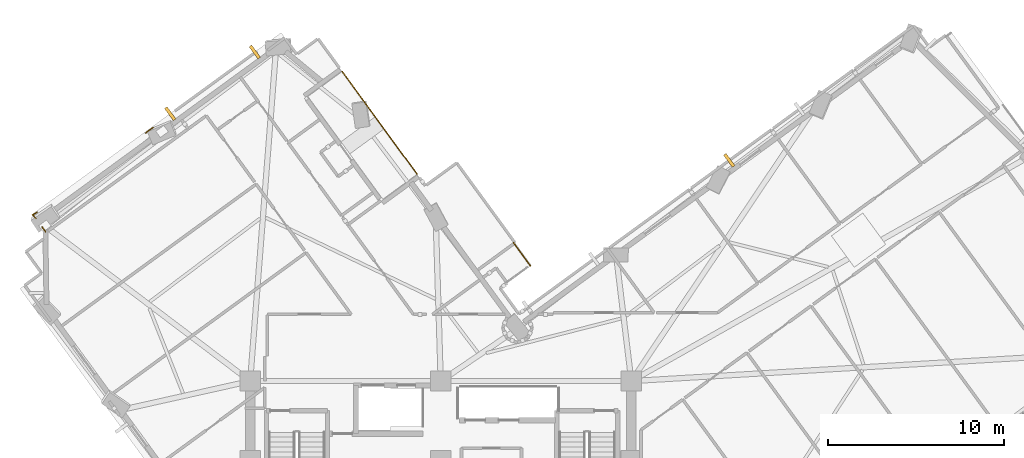
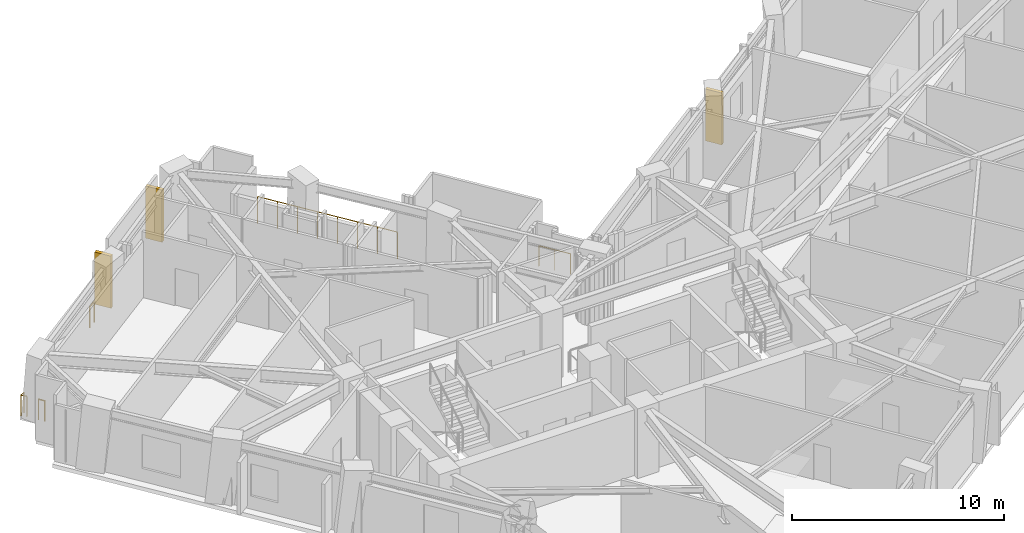
# One storey, part 13 of 14: 5 railings, 3 shading devices.
"""IFC4 building model written with IfcOpenShell, lengths in metres."""

from ifc_helpers import new_model, si_unit, direction, frame, origin, origin_2d, place, context, subcontext, project, spatial, rectangle, circle, extrude, material, layer, layer_set, type_object, element, save


model = new_model("IFC4")

# Units and contexts
model_context = context("Model", 3, precision=1e-05, world=origin(), true_north=direction((0.0, 1.0)))
body_context = subcontext(model_context, "Body", "Model", "MODEL_VIEW")
ifc_project = project(units=[si_unit("LENGTHUNIT", "METRE"), si_unit("AREAUNIT", "SQUARE_METRE"), si_unit("VOLUMEUNIT", "CUBIC_METRE"), si_unit("PLANEANGLEUNIT", "RADIAN"), si_unit("MASSUNIT", "GRAM", prefix="KILO")], contexts=[model_context])

# Site, building, storey
site_placement = place(None, origin())
site = spatial("IfcSite", under=ifc_project, at=site_placement, CompositionType="ELEMENT")
building_placement = place(site_placement, origin())
building = spatial("IfcBuilding", under=site, at=building_placement, Name="Gaonmaruhae Medical Tower", CompositionType="ELEMENT")
storey_placement = place(building_placement, frame((0.0, 0.0, 177.800048828125)))
storey = spatial("IfcBuildingStorey", under=building, at=storey_placement, Name="L42", CompositionType="ELEMENT", Elevation=177.800048828125)

# Railings
ifc_material_1 = material(Name="Stainless steel 316L and laminated safety glass", Category="steel")
ifc_layer_1 = layer(ifc_material_1, 0.080078125)
ifc_layer_set_1 = layer_set([ifc_layer_1], Name="Stainless steel 316L and laminated safety glass")
railing_type_1 = type_object("IfcRailingType", Name="GD-120 Outdoor Terrace Safety Glass & Steel Balustrade", PredefinedType="BALUSTRADE", material=ifc_layer_set_1)
railing_1_placement = place(storey_placement, frame((2.407470703125, 25.263916015625, 0.0)))
element("IfcRailing", 1, at=railing_1_placement, inside=storey, type_object=railing_type_1, Name="L42 Perimeter Slab Edge Safety Balustrade 09", PredefinedType="BALUSTRADE", context=body_context, shape_type="SweptSolid", body=[
    extrude(circle(Radius=0.02392578125, at=origin_2d()), frame((0.0, 0.0, 1.17578125), z_axis=(-0.589548133234, 0.807733247181, 0.0), x_axis=(-0.807733247181, -0.589548133234, 0.0)), (0.0, 0.0, 1.0), 0.32666015625),
    extrude(circle(Radius=0.02099609375, at=origin_2d()), origin(), (0.0, 0.0, 1.0), 1.15185546875),
    extrude(circle(Radius=0.02099609375, at=origin_2d()), frame((-0.192626953125, 0.263916015625, 0.0)), (0.0, 0.0, 1.0), 1.15185546875),
])
railing_2_placement = place(storey_placement, frame((8.085693359375, 30.86083984375, 0.0)))
element("IfcRailing", 2, at=railing_2_placement, inside=storey, type_object=railing_type_1, Name="L42 Perimeter Slab Edge Safety Balustrade 10", PredefinedType="BALUSTRADE", context=body_context, shape_type="SweptSolid", body=[
    extrude(circle(Radius=0.02392578125, at=origin_2d()), frame((0.0, 0.0, 1.17578125), z_axis=(0.807918541995, 0.589294179082, 0.0), x_axis=(-0.589294179082, 0.807918541995, 0.0)), (0.0, 0.0, 1.0), 0.51708984375),
    extrude(circle(Radius=0.02099609375, at=origin_2d()), origin(), (0.0, 0.0, 1.0), 1.15185546875),
    extrude(circle(Radius=0.02099609375, at=origin_2d()), frame((0.417724609375, 0.3046875, 0.0)), (0.0, 0.0, 1.0), 1.15185546875),
])
railing_3_placement = place(storey_placement, frame((28.91552734375, 24.65576171875, 0.0)))
element("IfcRailing", 3, at=railing_3_placement, inside=storey, type_object=railing_type_1, Name="L42 Perimeter Slab Edge Safety Balustrade 11", PredefinedType="BALUSTRADE", context=body_context, shape_type="SweptSolid", body=[
    extrude(circle(Radius=0.02392578125, at=origin_2d()), frame((0.0, 0.0, 1.17578125), z_axis=(0.589135724102, -0.808034094941, 0.0), x_axis=(0.808034094941, 0.589135724102, 0.0)), (0.0, 0.0, 1.0), 1.640625),
    extrude(circle(Radius=0.02099609375, at=origin_2d()), origin(), (0.0, 0.0, 1.0), 1.15185546875),
    extrude(circle(Radius=0.02099609375, at=origin_2d()), frame((0.4833984375, -0.662841796875, 0.0)), (0.0, 0.0, 1.0), 1.15185546875),
    extrude(circle(Radius=0.02099609375, at=origin_2d()), frame((0.966552734375, -1.32568359375, 0.0)), (0.0, 0.0, 1.0), 1.15185546875),
])
railing_4_placement = place(storey_placement, frame((1.861328125, 26.0126953125, 0.0)))
element("IfcRailing", 4, at=railing_4_placement, inside=storey, type_object=railing_type_1, Name="L42 Perimeter Corner Safety Balustrade 15", PredefinedType="BALUSTRADE", context=body_context, shape_type="SweptSolid", body=[
    extrude(circle(Radius=0.02392578125, at=origin_2d()), frame((0.0, 0.0, 1.17578125), z_axis=(-0.683318142243, 0.730120754726, 0.0), x_axis=(-0.730120754726, -0.683318142243, 0.0)), (0.0, 0.0, 1.0), 0.286865234375),
    extrude(circle(Radius=0.02392578125, at=origin_2d()), frame((-0.196044921875, 0.20947265625, 1.17578125), z_axis=(0.873635136355, 0.486581594932, 0.0), x_axis=(-0.486581594932, 0.873635136355, 0.0)), (0.0, 0.0, 1.0), 0.287109375),
    extrude(circle(Radius=0.02099609375, at=origin_2d()), origin(), (0.0, 0.0, 1.0), 1.15185546875),
    extrude(circle(Radius=0.02099609375, at=origin_2d()), frame((-0.196044921875, 0.20947265625, 0.0)), (0.0, 0.0, 1.0), 1.15185546875),
    extrude(circle(Radius=0.02099609375, at=origin_2d()), frame((0.0546875, 0.34912109375, 0.0)), (0.0, 0.0, 1.0), 1.15185546875),
])
ifc_layer_2 = layer(ifc_material_1, 0.080078125)
ifc_layer_set_2 = layer_set([ifc_layer_2], Name="Stainless steel 316L and laminated safety glass")
railing_type_2 = type_object("IfcRailingType", Name="GD-155 Planter-Edge Raised Safety Balustrade", PredefinedType="BALUSTRADE", material=ifc_layer_set_2)
railing_5_placement = place(storey_placement, frame((23.459228515625, 28.52294921875, 0.0)))
element("IfcRailing", 5, at=railing_5_placement, inside=storey, type_object=railing_type_2, Name="L42 Terrace Safety Guard RL-SLB-L42-TER-02", PredefinedType="BALUSTRADE", context=body_context, shape_type="SweptSolid", body=[
    extrude(circle(Radius=0.02392578125, at=origin_2d()), frame((0.0, 0.0, 1.52587890625), z_axis=(-0.589187377082, 0.807996432348, 0.0), x_axis=(-0.807996432348, -0.589187377082, 0.0)), (0.0, 0.0, 1.0), 7.199951171875),
    extrude(circle(Radius=0.02099609375, at=origin_2d()), origin(), (0.0, 0.0, 1.0), 1.501953125),
    extrude(circle(Radius=0.02099609375, at=origin_2d()), frame((-0.60595703125, 0.8310546875, 0.0)), (0.0, 0.0, 1.0), 1.501953125),
    extrude(circle(Radius=0.02099609375, at=origin_2d()), frame((-1.212158203125, 1.662109375, 0.0)), (0.0, 0.0, 1.0), 1.501953125),
    extrude(circle(Radius=0.02099609375, at=origin_2d()), frame((-1.818115234375, 2.4931640625, 0.0)), (0.0, 0.0, 1.0), 1.501953125),
    extrude(circle(Radius=0.02099609375, at=origin_2d()), frame((-2.424072265625, 3.324462890625, 0.0)), (0.0, 0.0, 1.0), 1.501953125),
    extrude(circle(Radius=0.02099609375, at=origin_2d()), frame((-3.030029296875, 4.155517578125, 0.0)), (0.0, 0.0, 1.0), 1.501953125),
    extrude(circle(Radius=0.02099609375, at=origin_2d()), frame((-3.63623046875, 4.986572265625, 0.0)), (0.0, 0.0, 1.0), 1.501953125),
    extrude(circle(Radius=0.02099609375, at=origin_2d()), frame((-4.2421875, 5.817626953125, 0.0)), (0.0, 0.0, 1.0), 1.501953125),
])

# Shading devices
ifc_material_2 = material(Name="Pigmented coral precast concrete C45/55", Category="concrete")
shading_device_type = type_object("IfcShadingDeviceType", Name="SD-FIN1 Tower Vertical Coral Precast Shading Fin", PredefinedType="USERDEFINED", material=ifc_material_2)
shading_device_placement = place(storey_placement, frame((41.146484375, 29.306640625, 0.0400390625), z_axis=(0.0, 0.0, 1.0), x_axis=(0.808000167191, 0.58918225518, 0.0)))
element("IfcShadingDevice", 6, at=shading_device_placement, inside=storey, type_object=shading_device_type, Name="L42 Vertical Coral Precast Shading Fin EN01", ObjectType="FIN", PredefinedType="USERDEFINED", context=body_context, shape_type="SweptSolid", body=[
    extrude(rectangle(XDim=0.179931640625, YDim=0.85009765625, at=origin_2d()), origin(), (0.0, 0.0, 1.0), 2.985107421875),
])
for number, where, z_axis, x_axis, name in (
    (7, (9.470703125, 31.951171875, 0.132568359375), (0.0, 0.0, 1.0), (0.807989883898, 0.589196357353, 0.0), "L42 Vertical Coral Precast Shading Fin N01"),
    (8, (14.262451171875, 35.445556640625, 0.132568359375), (0.0, 0.0, 1.0), (0.807989883898, 0.589196357353, 0.0), "L42 Vertical Coral Precast Shading Fin N01B"),
):
    element("IfcShadingDevice", number, at=place(storey_placement, frame(where, z_axis=z_axis, x_axis=x_axis)), inside=storey, type_object=shading_device_type, Name=name, ObjectType="FIN", PredefinedType="USERDEFINED", context=body_context, shape_type="SweptSolid", body=[
        extrude(rectangle(XDim=0.179931640625, YDim=0.85009765625, at=origin_2d()), origin(), (0.0, 0.0, 1.0), 3.0),
    ])

save(model, "model.ifc")
